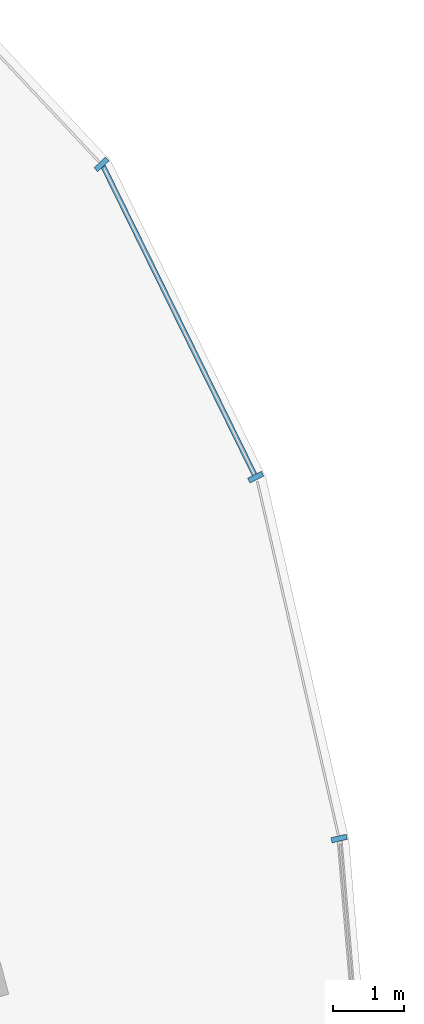
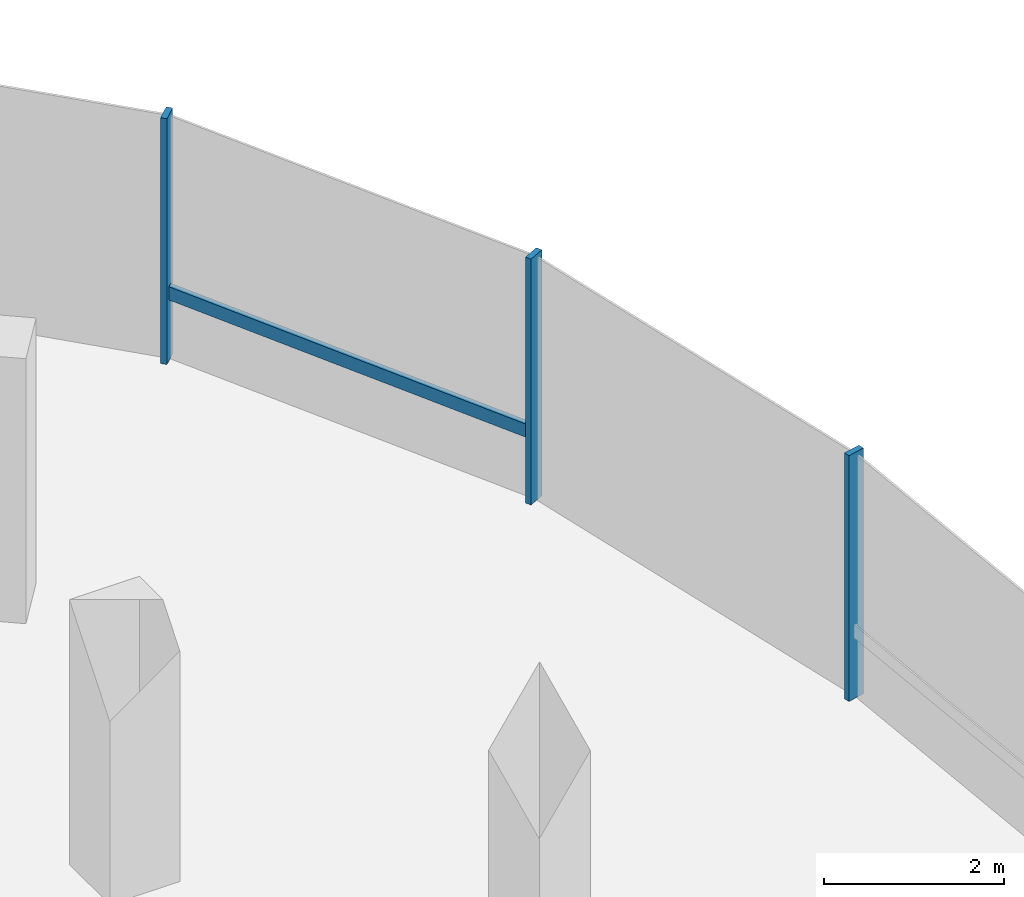
# One storey, part 11 of 24: 4 members, 1 element without a shape of its own.
"""IFC4 building model written with IfcOpenShell, lengths in metres."""

from ifc_helpers import new_model, si_unit, direction, frame, origin, origin_2d, place, context, subcontext, project, spatial, rectangle, extrude, material, material_profile, profile_set, type_object, element, aggregate, save


model = new_model("IFC4")

# Units and contexts
model_context = context("Model", 3, precision=1e-05, world=origin(), true_north=direction((0.0, 1.0)))
body_context = subcontext(model_context, "Body", "Model", "MODEL_VIEW")
ifc_project = project(units=[si_unit("LENGTHUNIT", "METRE"), si_unit("AREAUNIT", "SQUARE_METRE"), si_unit("VOLUMEUNIT", "CUBIC_METRE"), si_unit("PLANEANGLEUNIT", "RADIAN"), si_unit("MASSUNIT", "GRAM", prefix="KILO"), si_unit("THERMODYNAMICTEMPERATUREUNIT", "KELVIN"), si_unit("POWERUNIT", "WATT")], contexts=[model_context])

# Site, building, storey
site_placement = place(None, origin())
site = spatial("IfcSite", under=ifc_project, at=site_placement, CompositionType="ELEMENT")
building_placement = place(site_placement, origin())
building = spatial("IfcBuilding", under=site, at=building_placement, Name="Cundina Bronze Exchange", CompositionType="ELEMENT")
storey_placement = place(building_placement, frame((0.0, 0.0, 268.39990234375)))
storey = spatial("IfcBuildingStorey", under=building, at=storey_placement, Name="L71", CompositionType="ELEMENT", Elevation=268.39990234375)

# Curtain wall, members
ifc_material = material(Name="Anodised Bronze Aluminium 6063-T6", Category="aluminium")
curtain_wall_type = type_object("IfcCurtainWallType", Name="CWS-SKG-BRG", PredefinedType="NOTDEFINED", material=ifc_material)
curtain_wall_placement = place(storey_placement, origin())
curtain_wall = element("IfcCurtainWall", 1, at=curtain_wall_placement, inside=storey, type_object=curtain_wall_type, Name="L71 CW-06 Curtain Wall Run CWR-L71-E1", PredefinedType="NOTDEFINED")
ifc_material_profile_1 = material_profile(ifc_material, rectangle(XDim=0.074951171875, YDim=0.219970703125, at=origin_2d()), Name="AL75X220", Category="aluminium")
ifc_profile_set_1 = profile_set([ifc_material_profile_1], Name="Anodised Bronze Aluminium 6063-T6")
member_type_1 = type_object("IfcMemberType", Name="CWM-MUL-220", PredefinedType="MULLION", material=ifc_profile_set_1)
member_1_placement = place(storey_placement, frame((50.544677734375, 8.4111328125, 0.0), z_axis=(0.0, 0.0, 1.0), x_axis=(-0.223250116011, 0.974761194191, 0.0)))
member_1 = element("IfcMember", 2, at=member_1_placement, type_object=member_type_1, Name="CW-06 Mullion 2", PredefinedType="MULLION", context=body_context, shape_type="SweptSolid", body=[
    extrude(rectangle(XDim=0.074951171875, YDim=0.219970703125, at=origin_2d()), origin(), (0.0, 0.0, 1.0), 3.340087890625),
])
member_2_placement = place(storey_placement, frame((49.369140625, 13.50390625, 0.0), z_axis=(0.0, 0.0, 1.0), x_axis=(-0.440566004113, 0.897720221461, 0.0)))
member_2 = element("IfcMember", 3, at=member_2_placement, type_object=member_type_1, Name="CW-06 Mullion 3", PredefinedType="MULLION", context=body_context, shape_type="SweptSolid", body=[
    extrude(rectangle(XDim=0.074951171875, YDim=0.219970703125, at=origin_2d()), origin(), (0.0, 0.0, 1.0), 3.340087890625),
])
member_3_placement = place(storey_placement, frame((47.1962890625, 17.910400390625, 0.0), z_axis=(0.0, 0.0, 1.0), x_axis=(-0.684292606175, 0.729207535023, 0.0)))
member_3 = element("IfcMember", 4, at=member_3_placement, type_object=member_type_1, Name="CW-06 Mullion 4", PredefinedType="MULLION", context=body_context, shape_type="SweptSolid", body=[
    extrude(rectangle(XDim=0.074951171875, YDim=0.219970703125, at=origin_2d()), origin(), (0.0, 0.0, 1.0), 3.340087890625),
])
ifc_material_profile_2 = material_profile(ifc_material, rectangle(XDim=0.070068359375, YDim=0.179931640625, at=origin_2d()), Name="AL70X180", Category="aluminium")
ifc_profile_set_2 = profile_set([ifc_material_profile_2], Name="Anodised Bronze Aluminium 6063-T6")
member_type_2 = type_object("IfcMemberType", Name="CWM-TRN-180", PredefinedType="USERDEFINED", material=ifc_profile_set_2)
member_4_placement = place(storey_placement, frame((49.35107421875, 13.541015625, 0.920166015625), z_axis=(-0.440554408939, 0.897725911826, 0.0), x_axis=(-0.897725911826, -0.440554408939, 0.0)))
member_4 = element("IfcMember", 5, at=member_4_placement, type_object=member_type_2, Name="CW-06 Spandrel Transom 3", ObjectType="TRANSOM", PredefinedType="USERDEFINED", context=body_context, shape_type="SweptSolid", body=[
    extrude(rectangle(XDim=0.070068359375, YDim=0.179931640625, at=origin_2d()), origin(), (0.0, 0.0, 1.0), 4.848388671875),
])
aggregate(curtain_wall, [member_1, member_2, member_4, member_3])

save(model, "model.ifc")
